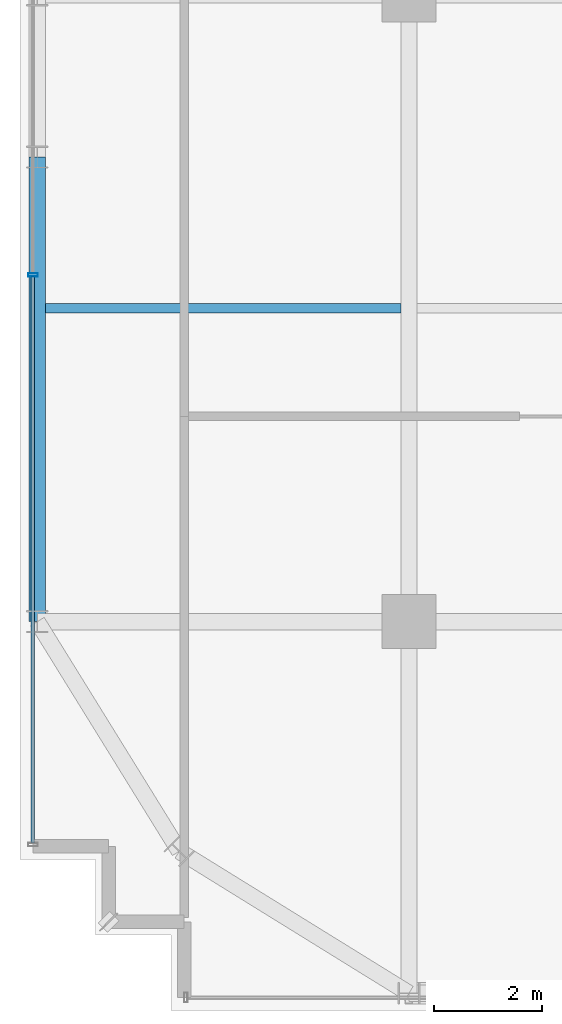
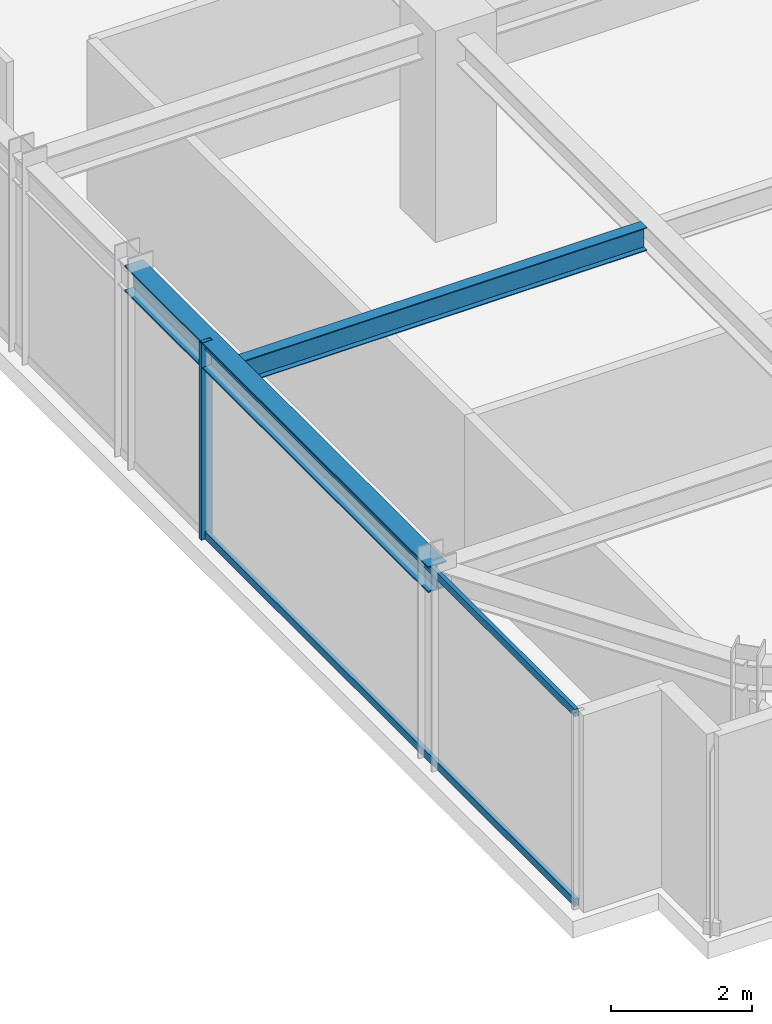
# One storey, part 6 of 42: 3 members, 2 beams, 1 element without a shape of its own.
"""IFC4 building model written with IfcOpenShell, lengths in metres."""

from ifc_helpers import new_model, si_unit, direction, frame, origin, origin_2d, place, context, subcontext, project, spatial, hollow_rectangle, i_section, extrude, source, transform, mapped, material, material_profile, profile_set, type_object, element, aggregate, save


model = new_model("IFC4")

# Units and contexts
model_context = context("Model", 3, precision=1e-05, world=origin(), true_north=direction((0.0, 1.0)))
body_context = subcontext(model_context, "Body", "Model", "MODEL_VIEW")
ifc_project = project(units=[si_unit("LENGTHUNIT", "METRE"), si_unit("AREAUNIT", "SQUARE_METRE"), si_unit("VOLUMEUNIT", "CUBIC_METRE"), si_unit("PLANEANGLEUNIT", "RADIAN"), si_unit("MASSUNIT", "GRAM", prefix="KILO")], contexts=[model_context])

# Site, building, storey
site_placement = place(None, origin())
site = spatial("IfcSite", under=ifc_project, at=site_placement, CompositionType="ELEMENT")
building_placement = place(site_placement, origin())
building = spatial("IfcBuilding", under=site, at=building_placement, Name="Nahalor Promenade Grand Hotel", CompositionType="ELEMENT")
storey_placement = place(building_placement, frame((0.0, 0.0, 249.300048828125)))
storey = spatial("IfcBuildingStorey", under=building, at=storey_placement, Name="L64", CompositionType="ELEMENT", Elevation=249.300048828125)

# Beams
ifc_material_1 = material(Name="Steel S355JR", Category="steel")
ifc_material_profile_1 = material_profile(ifc_material_1, i_section(OverallWidth=0.3, OverallDepth=0.45, WebThickness=0.014, FlangeThickness=0.026, at=origin_2d()), Name="HEB 450")
ifc_profile_set_1 = profile_set([ifc_material_profile_1], Name="Steel S355JR")
beam_type_1 = type_object("IfcBeamType", Name="Beam-Spandrel-HEB450", PredefinedType="SPANDREL", material=ifc_profile_set_1)
shared_shape_1 = source(origin(), body_context, "Body", "SweptSolid", [
    extrude(i_section(OverallWidth=0.3, OverallDepth=0.45, WebThickness=0.014, FlangeThickness=0.026, at=origin_2d()), origin(), (0.0, 0.0, 1.0), 8.60009765625),
])
beam_1_placement = place(storey_placement, frame((-23.8798828125, -17.0, 3.18505859375), z_axis=(0.0, 1.0, 0.0), x_axis=(-1.0, 0.0, 0.0)))
element("IfcBeam", 1, at=beam_1_placement, inside=storey, type_object=beam_type_1, Name="BM-L64-SP-W-0", PredefinedType="SPANDREL", context=body_context, shape_type="MappedRepresentation", body=[
    mapped(shared_shape_1, transform((0.0, 0.0, 0.0), scale=1.0)),
])
ifc_material_profile_2 = material_profile(ifc_material_1, i_section(OverallWidth=0.18, OverallDepth=0.4, WebThickness=0.0086, FlangeThickness=0.0135, at=origin_2d()), Name="IPE 400")
ifc_profile_set_2 = profile_set([ifc_material_profile_2], Name="Steel S355JR")
beam_type_2 = type_object("IfcBeamType", Name="Beam-Joist-IPE400", PredefinedType="JOIST", material=ifc_profile_set_2)
shared_shape_2 = source(origin(), body_context, "Body", "SweptSolid", [
    extrude(i_section(OverallWidth=0.18, OverallDepth=0.4, WebThickness=0.0086, FlangeThickness=0.0135, at=origin_2d()), origin(), (0.0, 0.0, 1.0), 6.580078125),
])
beam_2_placement = place(storey_placement, frame((-23.72998046875, -11.199951171875, 3.2099609375), z_axis=(1.0, 0.0, 0.0), x_axis=(0.0, 1.0, 0.0)))
element("IfcBeam", 2, at=beam_2_placement, inside=storey, type_object=beam_type_2, Name="BM-L64-JSW-0-0", PredefinedType="JOIST", context=body_context, shape_type="MappedRepresentation", body=[
    mapped(shared_shape_2, transform((0.0, 0.0, 0.0), scale=1.0)),
])

# Curtain wall, members
ifc_material_2 = material(Name="Anodised Bronze Aluminium EN AW-6063 T6", Category="aluminium")
curtain_wall_type = type_object("IfcCurtainWallType", Name="CW2 Typical Hotel Flush Bronze Unitised Curtain Wall", PredefinedType="USERDEFINED", material=ifc_material_2)
curtain_wall_placement = place(storey_placement, origin())
curtain_wall = element("IfcCurtainWall", 3, at=curtain_wall_placement, inside=storey, type_object=curtain_wall_type, Name="L64 Curtain Wall CW-L64-W-1", ObjectType="UNITISED_CURTAIN_WALL", PredefinedType="USERDEFINED")
ifc_material_profile_3 = material_profile(ifc_material_2, hollow_rectangle(XDim=0.065, YDim=0.13, WallThickness=0.004, at=origin_2d()), Name="CWT 65x130x4")
ifc_profile_set_3 = profile_set([ifc_material_profile_3], Name="Anodised Bronze Aluminium EN AW-6063 T6")
member_type_1 = type_object("IfcMemberType", Name="CWT2 Typical Bronze Transom 65x130", PredefinedType="USERDEFINED", material=ifc_profile_set_3)
shared_shape_3 = source(origin(), body_context, "Body", "SweptSolid", [
    extrude(hollow_rectangle(XDim=0.065, YDim=0.13, WallThickness=0.004, at=origin_2d()), origin(), (0.0, 0.0, 1.0), 10.482421875),
])
member_1_placement = place(storey_placement, frame((-23.9599609375, -21.094970703125, 0.06494140625), z_axis=(0.0, 1.0, 0.0), x_axis=(-1.0, 0.0, 0.0)))
member_1 = element("IfcMember", 4, at=member_1_placement, type_object=member_type_1, Name="CW-L64-W-1 Transom 0-0", ObjectType="TRANSOM", PredefinedType="USERDEFINED", context=body_context, shape_type="MappedRepresentation", body=[
    mapped(shared_shape_3, transform((0.0, 0.0, 0.0), scale=1.0)),
])
member_2_placement = place(storey_placement, frame((-23.9599609375, -21.094970703125, 3.344970703125), z_axis=(0.0, 1.0, 0.0), x_axis=(-1.0, 0.0, 0.0)))
member_2 = element("IfcMember", 5, at=member_2_placement, type_object=member_type_1, Name="CW-L64-W-1 Transom 0-1", ObjectType="TRANSOM", PredefinedType="USERDEFINED", context=body_context, shape_type="MappedRepresentation", body=[
    mapped(shared_shape_3, transform((0.0, 0.0, 0.0), scale=1.0)),
])
ifc_material_profile_4 = material_profile(ifc_material_2, hollow_rectangle(XDim=0.065, YDim=0.18, WallThickness=0.004, at=origin_2d()), Name="CWM 65x180x4")
ifc_profile_set_4 = profile_set([ifc_material_profile_4], Name="Anodised Bronze Aluminium EN AW-6063 T6")
member_type_2 = type_object("IfcMemberType", Name="CWM2 Typical Bronze Mullion 65x180", PredefinedType="MULLION", material=ifc_profile_set_4)
shared_shape_4 = source(origin(), body_context, "Body", "SweptSolid", [
    extrude(hollow_rectangle(XDim=0.065, YDim=0.18, WallThickness=0.004, at=origin_2d()), origin(), (0.0, 0.0, 1.0), 3.409912109375),
])
member_3_placement = place(storey_placement, frame((-23.9599609375, -10.580078125, 0.0), z_axis=(0.0, 0.0, 1.0), x_axis=(0.0, 1.0, 0.0)))
member_3 = element("IfcMember", 6, at=member_3_placement, type_object=member_type_2, Name="CW-L64-W-1 Mullion 1", PredefinedType="MULLION", context=body_context, shape_type="MappedRepresentation", body=[
    mapped(shared_shape_4, transform((0.0, 0.0, 0.0), scale=1.0)),
])
aggregate(curtain_wall, [member_3, member_1, member_2])

save(model, "model.ifc")
